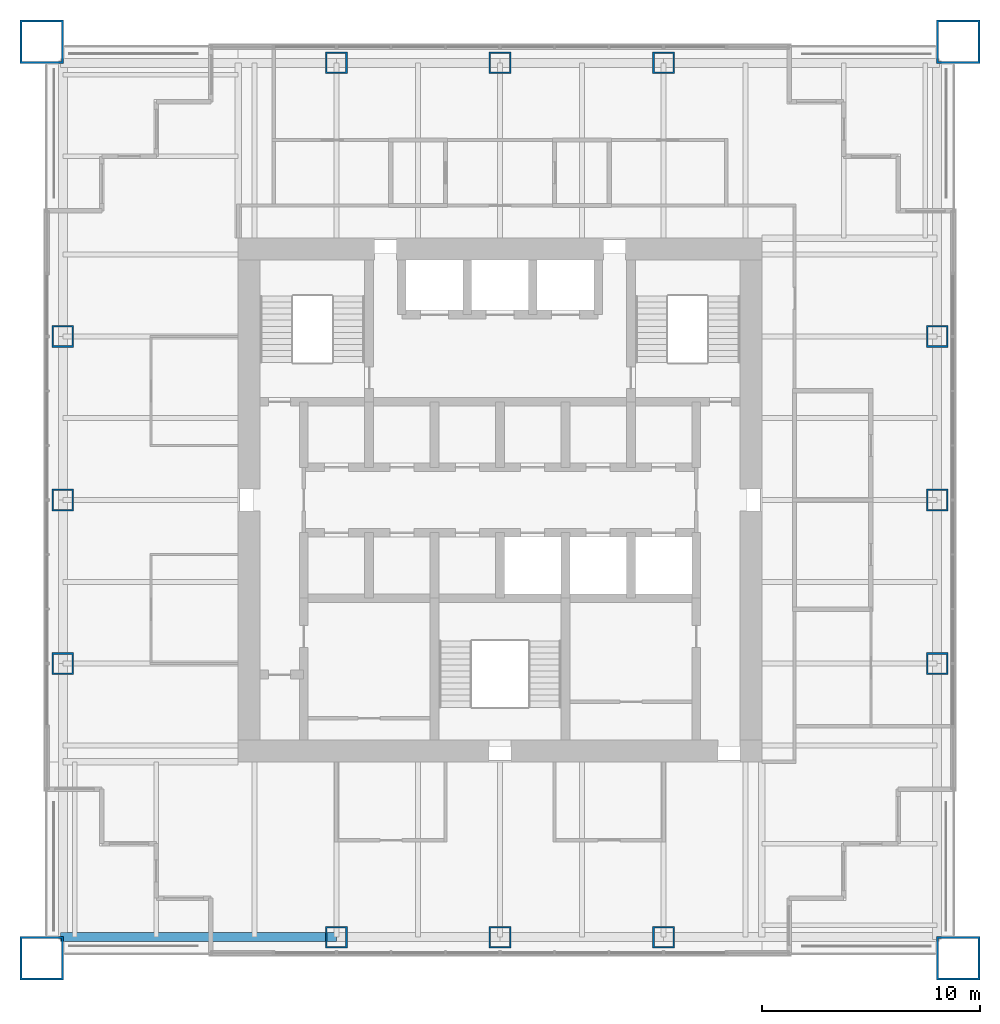
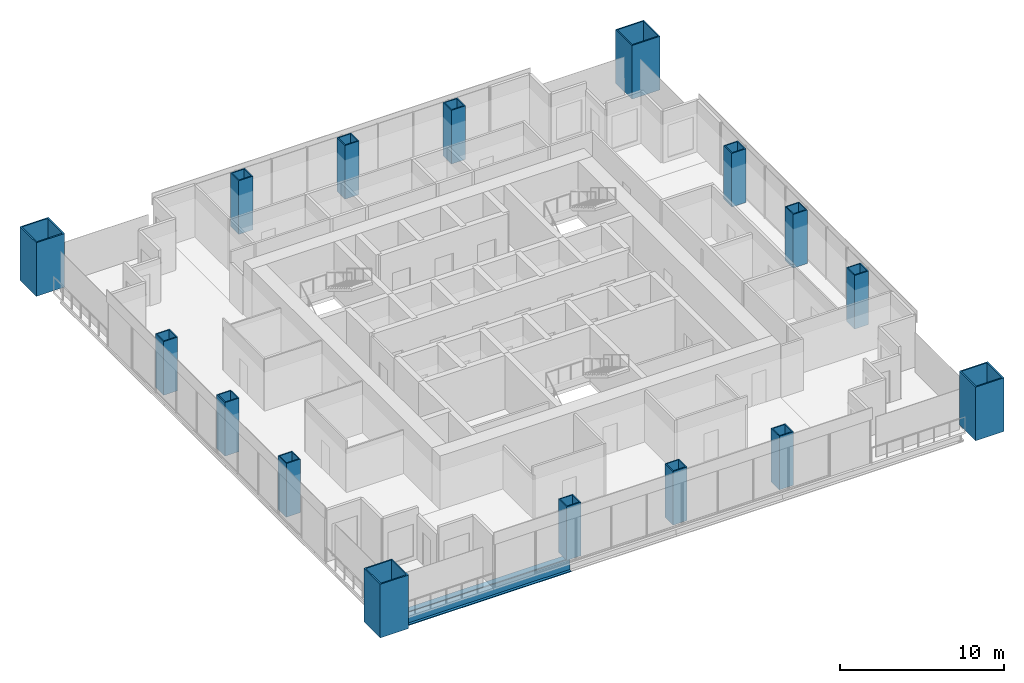
# One storey, part 1 of 14: 16 columns, 1 beam.
"""IFC4 building model written with IfcOpenShell, lengths in metres."""

from ifc_helpers import new_model, si_unit, direction, frame, origin, origin_2d, place, context, subcontext, project, spatial, hollow_rectangle, i_section, extrude, material, material_profile, profile_set, type_object, element, save


model = new_model("IFC4")

# Units and contexts
model_context = context("Model", 3, precision=1e-05, world=origin(), true_north=direction((0.0, 1.0)))
body_context = subcontext(model_context, "Body", "Model", "MODEL_VIEW")
ifc_project = project(units=[si_unit("LENGTHUNIT", "METRE"), si_unit("AREAUNIT", "SQUARE_METRE"), si_unit("VOLUMEUNIT", "CUBIC_METRE"), si_unit("PLANEANGLEUNIT", "RADIAN"), si_unit("MASSUNIT", "GRAM", prefix="KILO")], contexts=[model_context])

# Site, building, storey
site_placement = place(None, origin())
site = spatial("IfcSite", under=ifc_project, at=site_placement, CompositionType="ELEMENT")
building_placement = place(site_placement, origin())
building = spatial("IfcBuilding", under=site, at=building_placement, Name="Tarangal Relay Tower", CompositionType="ELEMENT")
storey_placement = place(building_placement, frame((0.0, 0.0, 327.89990234375)))
storey = spatial("IfcBuildingStorey", under=building, at=storey_placement, Name="L73", CompositionType="ELEMENT", Elevation=327.89990234375)

# Columns
ifc_material_1 = material(Name="Steel ASTM A572 Grade 50", Category="steel")
ifc_material_profile_1 = material_profile(ifc_material_1, hollow_rectangle(XDim=2.0, YDim=2.0, WallThickness=0.094970703125, at=origin_2d()), Name="BOX2000X2000X95")
ifc_profile_set_1 = profile_set([ifc_material_profile_1], Name="Steel ASTM A572 Grade 50")
column_type_1 = type_object("IfcColumnType", Name="Mega column BOX2000X2000X95", PredefinedType="COLUMN", material=ifc_profile_set_1)
for number, where, z_axis, x_axis, name in (
    (1, (21.0, 21.0, 0.0), (0.0, 0.0, 1.0), (1.0, 0.0, 0.0), "Mega column MC4 NE L73"),
    (2, (21.0, -21.0, 0.0), (0.0, 0.0, 1.0), (1.0, 0.0, 0.0), "Mega column MC4 SE L73"),
    (3, (-21.0, -21.0, 0.0), (0.0, 0.0, 1.0), (1.0, 0.0, 0.0), "Mega column MC4 SW L73"),
    (4, (-21.0, 21.0, 0.0), (0.0, 0.0, 1.0), (1.0, 0.0, 0.0), "Mega column MC4 NW L73"),
):
    element("IfcColumn", number, at=place(storey_placement, frame(where, z_axis=z_axis, x_axis=x_axis)), inside=storey, type_object=column_type_1, Name=name, PredefinedType="COLUMN", context=body_context, shape_type="SweptSolid", body=[
        extrude(hollow_rectangle(XDim=2.0, YDim=2.0, WallThickness=0.094970703125, at=origin_2d()), origin(), (0.0, 0.0, 1.0), 4.0),
    ])
ifc_material_profile_2 = material_profile(ifc_material_1, hollow_rectangle(XDim=1.0, YDim=1.0, WallThickness=0.074951171875, at=origin_2d()), Name="BOX1000X1000X75")
ifc_profile_set_2 = profile_set([ifc_material_profile_2], Name="Steel ASTM A572 Grade 50")
column_type_2 = type_object("IfcColumnType", Name="Perimeter column BOX1000X1000X75", PredefinedType="COLUMN", material=ifc_profile_set_2)
for number, where, z_axis, x_axis, name in (
    (5, (-7.5, 20.0400390625, 0.0), (0.0, 0.0, 1.0), (1.0, 0.0, 0.0), "Perimeter column PC5 N L73"),
    (6, (0.0, 20.0400390625, 0.0), (0.0, 0.0, 1.0), (1.0, 0.0, 0.0), "Perimeter column PC5 N L73"),
    (7, (7.5, 20.0400390625, 0.0), (0.0, 0.0, 1.0), (1.0, 0.0, 0.0), "Perimeter column PC5 N L73"),
    (8, (20.0400390625, 7.5, 0.0), (0.0, 0.0, 1.0), (1.0, 0.0, 0.0), "Perimeter column PC5 E L73"),
    (9, (20.0400390625, 0.0, 0.0), (0.0, 0.0, 1.0), (1.0, 0.0, 0.0), "Perimeter column PC5 E L73"),
    (10, (20.0400390625, -7.5, 0.0), (0.0, 0.0, 1.0), (1.0, 0.0, 0.0), "Perimeter column PC5 E L73"),
    (11, (7.5, -20.0400390625, 0.0), (0.0, 0.0, 1.0), (1.0, 0.0, 0.0), "Perimeter column PC5 S L73"),
    (12, (0.0, -20.0400390625, 0.0), (0.0, 0.0, 1.0), (1.0, 0.0, 0.0), "Perimeter column PC5 S L73"),
    (13, (-7.5, -20.0400390625, 0.0), (0.0, 0.0, 1.0), (1.0, 0.0, 0.0), "Perimeter column PC5 S L73"),
    (14, (-20.0400390625, -7.5, 0.0), (0.0, 0.0, 1.0), (1.0, 0.0, 0.0), "Perimeter column PC5 W L73"),
    (15, (-20.0400390625, 0.0, 0.0), (0.0, 0.0, 1.0), (1.0, 0.0, 0.0), "Perimeter column PC5 W L73"),
    (16, (-20.0400390625, 7.5, 0.0), (0.0, 0.0, 1.0), (1.0, 0.0, 0.0), "Perimeter column PC5 W L73"),
):
    element("IfcColumn", number, at=place(storey_placement, frame(where, z_axis=z_axis, x_axis=x_axis)), inside=storey, type_object=column_type_2, Name=name, PredefinedType="COLUMN", context=body_context, shape_type="SweptSolid", body=[
        extrude(hollow_rectangle(XDim=1.0, YDim=1.0, WallThickness=0.074951171875, at=origin_2d()), origin(), (0.0, 0.0, 1.0), 4.0),
    ])

# Beam
ifc_material_2 = material(Name="Steel ASTM A992", Category="steel")
ifc_material_profile_3 = material_profile(ifc_material_2, i_section(OverallWidth=0.41162109375, OverallDepth=1.049072265625, WebThickness=0.033935546875, FlangeThickness=0.059814453125, at=origin_2d()), Name="W40X431")
ifc_profile_set_3 = profile_set([ifc_material_profile_3], Name="Steel ASTM A992")
beam_type = type_object("IfcBeamType", Name="Edge girder W40X431", PredefinedType="SPANDREL", material=ifc_profile_set_3)
beam_placement = place(storey_placement, frame((-7.5, -20.0400390625, -0.67431640625), z_axis=(-1.0, 0.0, 0.0), x_axis=(0.0, -1.0, 0.0)))
element("IfcBeam", 17, at=beam_placement, inside=storey, type_object=beam_type, Name="Edge girder EG1 S L73", PredefinedType="SPANDREL", context=body_context, shape_type="SweptSolid", body=[
    extrude(i_section(OverallWidth=0.41162109375, OverallDepth=1.049072265625, WebThickness=0.033935546875, FlangeThickness=0.059814453125, at=origin_2d()), origin(), (0.0, 0.0, 1.0), 12.64990234375),
])

save(model, "model.ifc")
